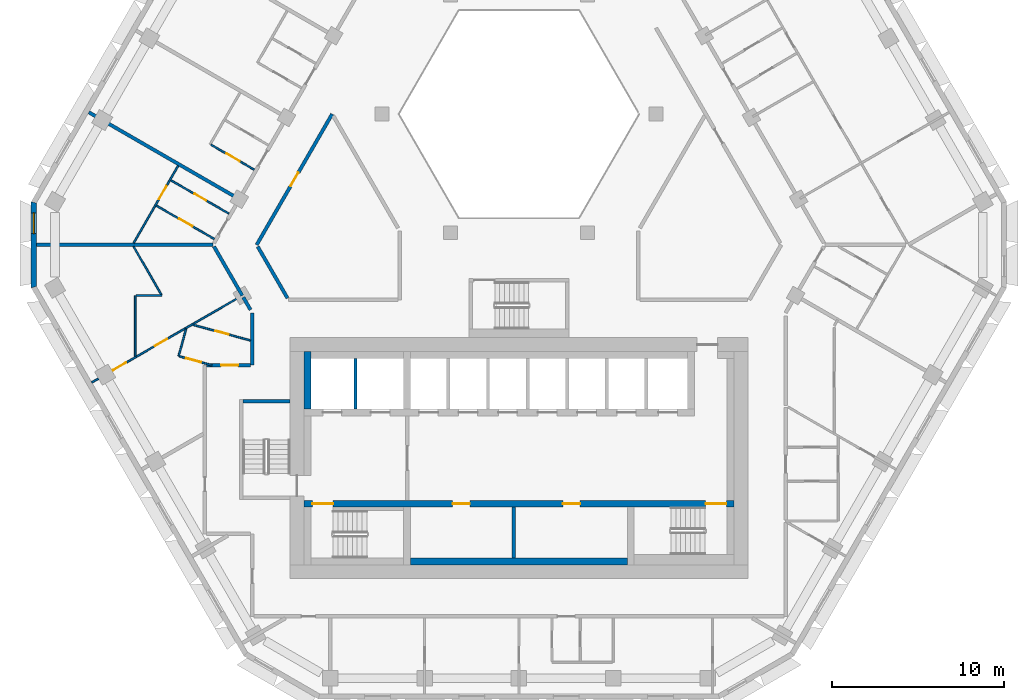
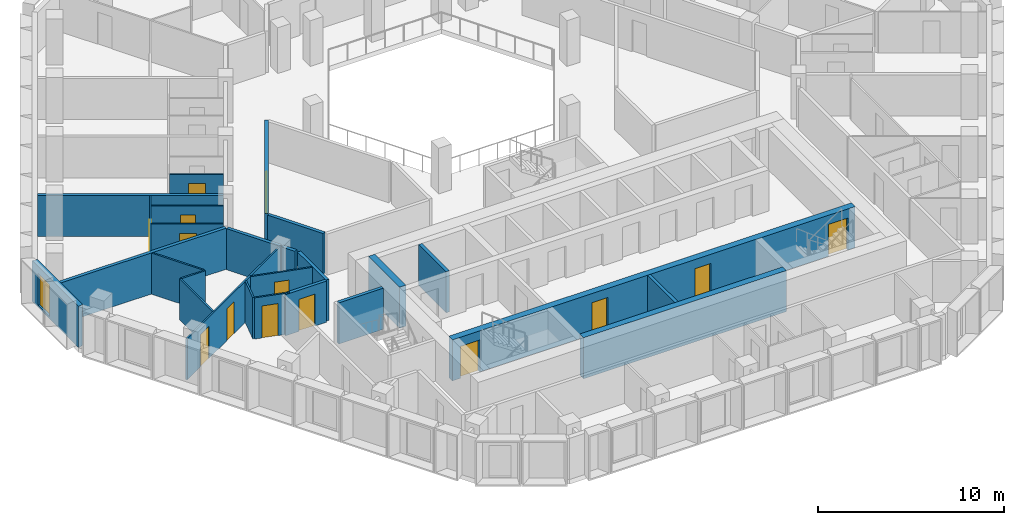
# One storey, part 4 of 15: 26 walls, 14 doors, 1 window, 15 openings.
"""IFC4 building model written with IfcOpenShell, lengths in metres."""

import ifcopenshell
import ifcopenshell.guid

model = None  # the IFC model being written
_history = None  # IfcOwnerHistory: only IFC2X3 demands one
_inside = {}  # id of a spatial element -> (the spatial element, [elements in it])
_under = {}  # id of a project, library or spatial element -> (it, [spatial elements below it])
_declared = {}  # id of a project -> (the project, [libraries it declares])
_typed = {}  # id of a type object -> (the type object, [elements of that type])
_made_of = {}  # id of a material, layer set ... -> (it, [elements and type objects made of it])


def new_model(schema):
    """Start an empty IFC model of exactly this schema.

    Asked for "IFC4X3", IfcOpenShell would pick the latest addendum, in which some entities
    have other attributes; the version numbers below select the first issue.
    IFC2X3 requires an IfcOwnerHistory on every rooted entity: one is made here for all.
    """
    global model, _history
    if schema == "IFC4X3":
        model = ifcopenshell.file(schema_version=(4, 3, 0, 0))
    else:
        model = ifcopenshell.file(schema=schema)
    _inside.clear()
    _under.clear()
    _declared.clear()
    _typed.clear()
    _made_of.clear()
    _history = None
    if model.schema == "IFC2X3":
        org = make("IfcOrganization", Name="unknown")
        user = make(
            "IfcPersonAndOrganization",
            ThePerson=make("IfcPerson", FamilyName="unknown"),
            TheOrganization=org,
        )
        app = make(
            "IfcApplication",
            ApplicationDeveloper=org,
            Version="unknown",
            ApplicationFullName="unknown",
            ApplicationIdentifier="unknown",
        )
        _history = make(
            "IfcOwnerHistory",
            OwningUser=user,
            OwningApplication=app,
            ChangeAction="ADDED",
            CreationDate=0,
        )
    return model


def make(cls, **values):
    """One entity of the class cls with the attributes given. An attribute that is None is left unset."""
    return model.create_entity(
        cls, **{name: value for name, value in values.items() if value is not None}
    )


def rooted(cls, **values):
    """An entity with a GlobalId (a new one), such as an element, a storey or a relation."""
    return make(cls, GlobalId=ifcopenshell.guid.new(), OwnerHistory=_history, **values)


def si_unit(unit_type, name, prefix=None):
    """IfcSIUnit, for example si_unit("LENGTHUNIT", "METRE", prefix="MILLI")."""
    return make("IfcSIUnit", UnitType=unit_type, Prefix=prefix, Name=name)


def assignment(units):
    """IfcUnitAssignment: the units of a project."""
    return None if units is None else make("IfcUnitAssignment", Units=units)


def point(xyz):
    """IfcCartesianPoint."""
    return None if xyz is None else make("IfcCartesianPoint", Coordinates=xyz)


def direction(xyz):
    """IfcDirection."""
    return None if xyz is None else make("IfcDirection", DirectionRatios=xyz)


def frame(location, z_axis=None, x_axis=None):
    """IfcAxis2Placement3D, a coordinate frame: its origin and axes. An axis left out is left unset."""
    return make(
        "IfcAxis2Placement3D",
        Location=point(location),
        Axis=direction(z_axis),
        RefDirection=direction(x_axis),
    )


def frame_2d(location, x_axis=None):
    """IfcAxis2Placement2D, a coordinate frame in the plane: its origin and x axis."""
    return make(
        "IfcAxis2Placement2D", Location=point(location), RefDirection=direction(x_axis)
    )


def origin():
    """The frame at (0, 0, 0) with its axes left unset."""
    return frame((0.0, 0.0, 0.0))


def place(relative_to, where):
    """IfcLocalPlacement: puts the frame where relative to a parent placement (None: the world)."""
    return make(
        "IfcLocalPlacement", PlacementRelTo=relative_to, RelativePlacement=where
    )


def context(
    kind, dimensions, precision=None, world=None, true_north=None, identifier=None
):
    """IfcGeometricRepresentationContext, for example the 3D "Model" context."""
    return make(
        "IfcGeometricRepresentationContext",
        ContextIdentifier=identifier,
        ContextType=kind,
        CoordinateSpaceDimension=dimensions,
        Precision=precision,
        WorldCoordinateSystem=world,
        TrueNorth=true_north,
    )


def subcontext(parent, identifier, kind, view, scale=None):
    """IfcGeometricRepresentationSubContext, for example "Body" below "Model"."""
    return make(
        "IfcGeometricRepresentationSubContext",
        ContextIdentifier=identifier,
        ContextType=kind,
        ParentContext=parent,
        TargetScale=scale,
        TargetView=view,
    )


def project(units=None, contexts=None):
    """IfcProject with its units and contexts."""
    return rooted(
        "IfcProject",
        Name="project",
        RepresentationContexts=contexts,
        UnitsInContext=assignment(units),
    )


def spatial(cls, under=None, at=None, **own):
    """A site, building, storey or space (cls), placed at a placement, below another one or the project."""
    s = rooted(cls, ObjectPlacement=at, **own)
    if under is not None:
        _under.setdefault(under.id(), (under, []))[1].append(s)
    return s


def polyline(points):
    """IfcPolyline through the points."""
    return make("IfcPolyline", Points=[point(p) for p in points])


def profile(cls, at=None, kind="AREA", **sizes):
    """A parametric profile (cls). Its sizes go by their IFC names, for example OverallWidth=200.0."""
    return make(cls, ProfileType=kind, Position=at, **sizes)


def rectangle(**sizes):
    """IfcRectangleProfileDef."""
    return profile("IfcRectangleProfileDef", **sizes)


def outline(outer, holes=None, kind="AREA"):
    """IfcArbitraryClosedProfileDef: a profile drawn as a closed curve; with holes, ...WithVoids."""
    if holes is None:
        return make("IfcArbitraryClosedProfileDef", ProfileType=kind, OuterCurve=outer)
    return make(
        "IfcArbitraryProfileDefWithVoids",
        ProfileType=kind,
        OuterCurve=outer,
        InnerCurves=holes,
    )


def extrude(swept, where, along, depth):
    """IfcExtrudedAreaSolid: the profile swept, set in the frame where, extruded along a direction by depth."""
    return make(
        "IfcExtrudedAreaSolid",
        SweptArea=swept,
        Position=where,
        ExtrudedDirection=direction(along),
        Depth=depth,
    )


def shape(context_of_items, identifier, shape_type, items):
    """IfcShapeRepresentation: the items that make up one representation, for example the "Body"."""
    return make(
        "IfcShapeRepresentation",
        ContextOfItems=context_of_items,
        RepresentationIdentifier=identifier,
        RepresentationType=shape_type,
        Items=items,
    )


def material(Name=None, Category=None):
    """IfcMaterial."""
    return make("IfcMaterial", Name=Name, Category=Category)


def layer(
    of_material, thickness, ventilated=None, Name=None, Category=None, Priority=None
):
    """IfcMaterialLayer: one layer of a wall or slab, of a material (None: an air gap)."""
    return make(
        "IfcMaterialLayer",
        Material=of_material,
        LayerThickness=thickness,
        IsVentilated=ventilated,
        Name=Name,
        Category=Category,
        Priority=Priority,
    )


def layer_set(layers, Name=None):
    """IfcMaterialLayerSet."""
    return make("IfcMaterialLayerSet", MaterialLayers=layers, LayerSetName=Name)


def made_of(thing, what):
    """Note that an element or type object is made of a material, layer set ...; save() writes the relation."""
    if what is not None:
        _made_of.setdefault(what.id(), (what, []))[1].append(thing)
    return thing


def type_object(cls, material=None, **own):
    """A type object (cls), such as IfcWallType, which elements share."""
    return made_of(rooted(cls, **own), material)


def element(
    cls,
    number,
    at=None,
    inside=None,
    cuts=None,
    type_object=None,
    material=None,
    context=None,
    identifier="Body",
    shape_type=None,
    held_by="IfcProductDefinitionShape",
    body=None,
    shapes=None,
    **own,
):
    """One element of the class cls, such as IfcWall. Its Tag is "e" and its number.

    at: its placement. inside: the storey or other place that contains it. cuts: it is an
    opening in that element (IfcRelVoidsElement). A single representation is given by context,
    identifier, shape_type and body (its items); several are given by shapes. held_by: the class
    of the entity that holds the representations. save() writes the other relations.
    """
    e = rooted(cls, Tag="e%d" % number, ObjectPlacement=at, **own)
    if body is not None:
        shapes = [shape(context, identifier, shape_type, body)]
    if shapes is not None:
        e.Representation = make(held_by, Representations=shapes)
    if inside is not None:
        _inside.setdefault(inside.id(), (inside, []))[1].append(e)
    if cuts is not None:
        rooted(
            "IfcRelVoidsElement", RelatingBuildingElement=cuts, RelatedOpeningElement=e
        )
    if type_object is not None:
        _typed.setdefault(type_object.id(), (type_object, []))[1].append(e)
    return made_of(e, material)


def fill(opening, filler):
    """IfcRelFillsElement: the door or window that sits in an opening."""
    return rooted(
        "IfcRelFillsElement",
        RelatingOpeningElement=opening,
        RelatedBuildingElement=filler,
    )


def aggregate(whole, parts):
    """IfcRelAggregates: a whole, such as a stair, and the parts it consists of."""
    return rooted("IfcRelAggregates", RelatingObject=whole, RelatedObjects=parts)


def save(model, path):
    """Write the relations noted so far, then the file.

    IfcRelAggregates (storeys below a building ...), IfcRelContainedInSpatialStructure (elements
    in a storey), IfcRelDefinesByType, IfcRelAssociatesMaterial and IfcRelDeclares: one each for
    every whole, place, type object, material and project.
    """
    for whole, parts in _under.values():
        aggregate(whole, parts)
    for where, things in _inside.values():
        rooted(
            "IfcRelContainedInSpatialStructure",
            RelatedElements=things,
            RelatingStructure=where,
        )
    for kind, things in _typed.values():
        rooted("IfcRelDefinesByType", RelatedObjects=things, RelatingType=kind)
    for what, things in _made_of.values():
        rooted("IfcRelAssociatesMaterial", RelatedObjects=things, RelatingMaterial=what)
    for by, libraries in _declared.values():
        rooted("IfcRelDeclares", RelatingContext=by, RelatedDefinitions=libraries)
    model.write(path)


model = new_model("IFC4")

# Units and contexts
model_context = context("Model", 3, precision=1e-05, world=origin(), true_north=direction((0.0, 1.0)))
body_context = subcontext(model_context, "Body", "Model", "MODEL_VIEW")
ifc_project = project(units=[si_unit("LENGTHUNIT", "METRE"), si_unit("AREAUNIT", "SQUARE_METRE"), si_unit("VOLUMEUNIT", "CUBIC_METRE"), si_unit("PLANEANGLEUNIT", "RADIAN"), si_unit("MASSUNIT", "GRAM", prefix="KILO")], contexts=[model_context])

# Site, building, storey
site_placement = place(None, origin())
site = spatial("IfcSite", under=ifc_project, at=site_placement, CompositionType="ELEMENT")
building_placement = place(site_placement, origin())
building = spatial("IfcBuilding", under=site, at=building_placement, Name="Beryl Residences", CompositionType="ELEMENT")
storey_placement = place(building_placement, frame((0.0, 0.0, 147.60009765625)))
storey = spatial("IfcBuildingStorey", under=building, at=storey_placement, Name="L45", CompositionType="ELEMENT", Elevation=147.60009765625)

# Wall, opening, window
ifc_material_1 = material(Name="Composite metal panel with mineral wool insulation")
ifc_layer_1 = layer(ifc_material_1, 0.300048828125)
ifc_layer_set_1 = layer_set([ifc_layer_1], Name="ES1 pale metal composite panel wall 300 mm")
wall_type_1 = type_object("IfcWallType", Name="ES1 pale metal composite panel wall 300 mm", PredefinedType="SOLIDWALL", material=ifc_layer_set_1)
wall_1_placement = place(storey_placement, frame((-28.197998046875, 2.89990234375, 0.0), z_axis=(0.0, 0.0, 1.0), x_axis=(0.0, -1.0, 0.0)))
wall_1 = element("IfcWall", 1, at=wall_1_placement, inside=storey, type_object=wall_type_1, Name="ES1 external wall L45 NW-SW", PredefinedType="SOLIDWALL", context=body_context, shape_type="SweptSolid", body=[
    extrude(outline(polyline([(0.0, -0.14990234375), (5.0, -0.14990234375), (4.919677734375, 0.14990234375), (0.080322265625, 0.14990234375), (0.0, -0.14990234375)])), origin(), (0.0, 0.0, 1.0), 2.699951171875),
])
opening_1_placement = place(wall_1_placement, frame((0.64990234375, 0.0, 0.14990234375)))
opening_1 = element("IfcOpeningElement", 2, at=opening_1_placement, cuts=wall_1, Name="Opening W2", PredefinedType="OPENING", context=body_context, shape_type="SweptSolid", body=[
    extrude(rectangle(XDim=1.199951171875, YDim=2.10009765625, at=frame_2d((0.60009765625, 1.050048828125))), frame((0.0, 0.159912109375, 0.0), z_axis=(0.0, -1.0, 0.0), x_axis=(1.0, 0.0, 0.0)), (0.0, 0.0, 1.0), 0.320068359375),
])
ifc_material_2 = material(Name="Aluminium and clear glass", Category="aluminium")
window_type = type_object("IfcWindowType", Name="W2 chamfer window 1200 x 2100 mm", PartitioningType="SINGLE_PANEL", PredefinedType="WINDOW", material=ifc_material_2)
window_placement = place(opening_1_placement, origin())
window = element("IfcWindow", 3, at=window_placement, inside=storey, type_object=window_type, Name="W2 window L45 NW-SW 1", OverallHeight=2.10009765625, OverallWidth=1.199951171875, PartitioningType="SINGLE_PANEL", PredefinedType="WINDOW", context=body_context, shape_type="SweptSolid", body=[
    extrude(rectangle(XDim=1.199951171875, YDim=2.10009765625, at=frame_2d((0.60009765625, 1.050048828125))), frame((0.0, 0.030029296875, 0.0), z_axis=(0.0, -1.0, 0.0), x_axis=(1.0, 0.0, 0.0)), (0.0, 0.0, 1.0), 0.06005859375),
])
fill(opening_1, window)

# Wall
ifc_material_3 = material(Name="Gypsum board partition on steel studs", Category="steel")
ifc_layer_2 = layer(ifc_material_3, 0.10009765625)
ifc_layer_set_2 = layer_set([ifc_layer_2], Name="PT1 partition 100 mm gypsum board on steel studs")
wall_type_2 = type_object("IfcWallType", Name="PT1 partition 100 mm gypsum board on steel studs", PredefinedType="PARTITIONING", material=ifc_layer_set_2)
wall_2_placement = place(storey_placement, frame((-22.39794921875, 0.299072265625, 0.0), z_axis=(0.0, 0.0, 1.0), x_axis=(0.50004249738, -0.86600086652, 0.0)))
element("IfcWall", 4, at=wall_2_placement, inside=storey, type_object=wall_type_2, Name="Wall PT1 L45 002", PredefinedType="PARTITIONING", context=body_context, shape_type="SweptSolid", body=[
    extrude(rectangle(XDim=3.235595703125, YDim=0.10009765625, at=frame_2d((1.61767578125, 0.0))), origin(), (0.0, 0.0, 1.0), 2.699951171875),
])

# Wall, opening, door
wall_3_placement = place(storey_placement, frame((-18.930908203125, -4.2529296875, 0.0), z_axis=(0.0, 0.0, 1.0), x_axis=(0.96479645258, -0.262997728296, 0.0)))
wall_3 = element("IfcWall", 5, at=wall_3_placement, inside=storey, type_object=wall_type_2, Name="Wall PT1 L45 007", PredefinedType="PARTITIONING", context=body_context, shape_type="SweptSolid", body=[
    extrude(rectangle(XDim=3.452392578125, YDim=0.10009765625, at=frame_2d((1.72607421875, 0.0))), origin(), (0.0, 0.0, 1.0), 2.699951171875),
])
opening_2_placement = place(wall_3_placement, frame((1.343017578125, 0.0, 0.0)))
opening_2 = element("IfcOpeningElement", 6, at=opening_2_placement, cuts=wall_3, Name="Opening D1349", PredefinedType="OPENING", context=body_context, shape_type="SweptSolid", body=[
    extrude(rectangle(XDim=0.800048828125, YDim=2.10009765625, at=frame_2d((0.39990234375, 1.050048828125))), frame((0.0, 0.06005859375, 0.0), z_axis=(0.0, -1.0, 0.0), x_axis=(1.0, 0.0, 0.0)), (0.0, 0.0, 1.0), 0.1201171875),
])
ifc_material_4 = material(Name="Timber door leaf", Category="wood")
door_type_1 = type_object("IfcDoorType", Name="D3 bathroom door 800 x 2100 mm", OperationType="SINGLE_SWING_LEFT", PredefinedType="DOOR", material=ifc_material_4)
door_1_placement = place(opening_2_placement, origin())
door_1 = element("IfcDoor", 7, at=door_1_placement, inside=storey, type_object=door_type_1, Name="Door D1349 L45 001", OperationType="SINGLE_SWING_LEFT", OverallHeight=2.10009765625, OverallWidth=0.800048828125, PredefinedType="DOOR", context=body_context, shape_type="SweptSolid", body=[
    extrude(rectangle(XDim=0.800048828125, YDim=2.10009765625, at=frame_2d((0.39990234375, 1.050048828125))), frame((0.0, 0.02490234375, 0.0), z_axis=(0.0, -1.0, 0.0), x_axis=(1.0, 0.0, 0.0)), (0.0, 0.0, 1.0), 0.050048828125),
])
fill(opening_2, door_1)

wall_4_placement = place(storey_placement, frame((-19.72998046875, -6.0869140625, 0.0), z_axis=(0.0, 0.0, 1.0), x_axis=(0.964700186442, -0.263350622325, 0.0)))
wall_4 = element("IfcWall", 8, at=wall_4_placement, inside=storey, type_object=wall_type_2, Name="Wall PT1 L45 008", PredefinedType="PARTITIONING", context=body_context, shape_type="SweptSolid", body=[
    extrude(rectangle(XDim=1.94873046875, YDim=0.10009765625, at=frame_2d((0.974365234375, 0.0))), origin(), (0.0, 0.0, 1.0), 2.699951171875),
])
opening_3_placement = place(wall_4_placement, frame((0.39892578125, 0.0, 0.0)))
opening_3 = element("IfcOpeningElement", 9, at=opening_3_placement, cuts=wall_4, Name="Opening D1350", PredefinedType="OPENING", context=body_context, shape_type="SweptSolid", body=[
    extrude(rectangle(XDim=0.89990234375, YDim=2.10009765625, at=frame_2d((0.449951171875, 1.050048828125))), frame((0.0, 0.06005859375, 0.0), z_axis=(0.0, -1.0, 0.0), x_axis=(1.0, 0.0, 0.0)), (0.0, 0.0, 1.0), 0.1201171875),
])
ifc_material_5 = material(Name="Timber door leaf", Category="wood")
door_type_2 = type_object("IfcDoorType", Name="D2 room door 900 x 2100 mm", OperationType="SINGLE_SWING_LEFT", PredefinedType="DOOR", material=ifc_material_5)
door_2_placement = place(opening_3_placement, origin())
door_2 = element("IfcDoor", 10, at=door_2_placement, inside=storey, type_object=door_type_2, Name="Door D1350 L45 001", OperationType="SINGLE_SWING_RIGHT", OverallHeight=2.10009765625, OverallWidth=0.89990234375, PredefinedType="DOOR", context=body_context, shape_type="SweptSolid", body=[
    extrude(rectangle(XDim=0.89990234375, YDim=2.10009765625, at=frame_2d((0.449951171875, 1.050048828125))), frame((0.0, 0.02490234375, 0.0), z_axis=(0.0, -1.0, 0.0), x_axis=(1.0, 0.0, 0.0)), (0.0, 0.0, 1.0), 0.050048828125),
])
fill(opening_3, door_2)

wall_5_placement = place(storey_placement, frame((-17.89794921875, 6.217041015625, 0.0), z_axis=(0.0, 0.0, 1.0), x_axis=(0.86592000186, -0.500182517066, 0.0)))
wall_5 = element("IfcWall", 11, at=wall_5_placement, inside=storey, type_object=wall_type_2, Name="Wall PT1 L45 009", PredefinedType="PARTITIONING", context=body_context, shape_type="SweptSolid", body=[
    extrude(rectangle(XDim=2.9091796875, YDim=0.10009765625, at=frame_2d((1.45458984375, 0.0))), origin(), (0.0, 0.0, 1.0), 2.699951171875),
])
opening_4_placement = place(wall_5_placement, frame((1.029052734375, 0.0, 0.0)))
opening_4 = element("IfcOpeningElement", 12, at=opening_4_placement, cuts=wall_5, Name="Opening D1342", PredefinedType="OPENING", context=body_context, shape_type="SweptSolid", body=[
    extrude(rectangle(XDim=0.89990234375, YDim=2.10009765625, at=frame_2d((0.449951171875, 1.050048828125))), frame((0.0, 0.06005859375, 0.0), z_axis=(0.0, -1.0, 0.0), x_axis=(1.0, 0.0, 0.0)), (0.0, 0.0, 1.0), 0.1201171875),
])
door_3_placement = place(opening_4_placement, origin())
door_3 = element("IfcDoor", 13, at=door_3_placement, inside=storey, type_object=door_type_2, Name="Door D1342 L45 001", OperationType="SINGLE_SWING_RIGHT", OverallHeight=2.10009765625, OverallWidth=0.89990234375, PredefinedType="DOOR", context=body_context, shape_type="SweptSolid", body=[
    extrude(rectangle(XDim=0.89990234375, YDim=2.10009765625, at=frame_2d((0.449951171875, 1.050048828125))), frame((0.0, 0.02490234375, 0.0), z_axis=(0.0, -1.0, 0.0), x_axis=(1.0, 0.0, 0.0)), (0.0, 0.0, 1.0), 0.050048828125),
])
fill(opening_4, door_3)

wall_6_placement = place(storey_placement, frame((-20.23291015625, 4.14892578125, 0.0), z_axis=(0.0, 0.0, 1.0), x_axis=(0.867293167797, -0.497797711016, 0.0)))
wall_6 = element("IfcWall", 14, at=wall_6_placement, inside=storey, type_object=wall_type_2, Name="Wall PT1 L45 011", PredefinedType="PARTITIONING", context=body_context, shape_type="SweptSolid", body=[
    extrude(rectangle(XDim=3.89697265625, YDim=0.10009765625, at=frame_2d((1.948486328125, 0.0))), origin(), (0.0, 0.0, 1.0), 2.699951171875),
])
opening_5_placement = place(wall_6_placement, frame((1.573974609375, 0.0, 0.0)))
opening_5 = element("IfcOpeningElement", 15, at=opening_5_placement, cuts=wall_6, Name="Opening D1345", PredefinedType="OPENING", context=body_context, shape_type="SweptSolid", body=[
    extrude(rectangle(XDim=0.800048828125, YDim=2.10009765625, at=frame_2d((0.39990234375, 1.050048828125))), frame((0.0, 0.06005859375, 0.0), z_axis=(0.0, -1.0, 0.0), x_axis=(1.0, 0.0, 0.0)), (0.0, 0.0, 1.0), 0.1201171875),
])
door_4_placement = place(opening_5_placement, origin())
door_4 = element("IfcDoor", 16, at=door_4_placement, inside=storey, type_object=door_type_1, Name="Door D1345 L45 001", OperationType="SINGLE_SWING_LEFT", OverallHeight=2.10009765625, OverallWidth=0.800048828125, PredefinedType="DOOR", context=body_context, shape_type="SweptSolid", body=[
    extrude(rectangle(XDim=0.800048828125, YDim=2.10009765625, at=frame_2d((0.39990234375, 1.050048828125))), frame((0.0, 0.02490234375, 0.0), z_axis=(0.0, -1.0, 0.0), x_axis=(1.0, 0.0, 0.0)), (0.0, 0.0, 1.0), 0.050048828125),
])
fill(opening_5, door_4)

wall_7_placement = place(storey_placement, frame((-21.0830078125, 2.677001953125, 0.0), z_axis=(0.0, 0.0, 1.0), x_axis=(0.867308690764, -0.497770664991, 0.0)))
wall_7 = element("IfcWall", 17, at=wall_7_placement, inside=storey, type_object=wall_type_2, Name="Wall PT1 L45 012", PredefinedType="PARTITIONING", context=body_context, shape_type="SweptSolid", body=[
    extrude(rectangle(XDim=3.897216796875, YDim=0.10009765625, at=frame_2d((1.94873046875, 0.0))), origin(), (0.0, 0.0, 1.0), 2.699951171875),
])
opening_6_placement = place(wall_7_placement, frame((1.52392578125, 0.0, 0.0)))
opening_6 = element("IfcOpeningElement", 18, at=opening_6_placement, cuts=wall_7, Name="Opening D1346", PredefinedType="OPENING", context=body_context, shape_type="SweptSolid", body=[
    extrude(rectangle(XDim=0.89990234375, YDim=2.10009765625, at=frame_2d((0.449951171875, 1.050048828125))), frame((0.0, 0.06005859375, 0.0), z_axis=(0.0, -1.0, 0.0), x_axis=(1.0, 0.0, 0.0)), (0.0, 0.0, 1.0), 0.1201171875),
])
door_5_placement = place(opening_6_placement, origin())
door_5 = element("IfcDoor", 19, at=door_5_placement, inside=storey, type_object=door_type_2, Name="Door D1346 L45 001", OperationType="SINGLE_SWING_RIGHT", OverallHeight=2.10009765625, OverallWidth=0.89990234375, PredefinedType="DOOR", context=body_context, shape_type="SweptSolid", body=[
    extrude(rectangle(XDim=0.89990234375, YDim=2.10009765625, at=frame_2d((0.449951171875, 1.050048828125))), frame((0.0, 0.02490234375, 0.0), z_axis=(0.0, -1.0, 0.0), x_axis=(1.0, 0.0, 0.0)), (0.0, 0.0, 1.0), 0.050048828125),
])
fill(opening_6, door_5)

# Wall
wall_8_placement = place(storey_placement, frame((-22.24609375, -2.552978515625, 0.0), z_axis=(0.0, 0.0, 1.0), x_axis=(1.0, 0.0, 0.0)))
element("IfcWall", 20, at=wall_8_placement, inside=storey, type_object=wall_type_2, Name="Wall PT1 L45 024", PredefinedType="PARTITIONING", context=body_context, shape_type="SweptSolid", body=[
    extrude(rectangle(XDim=1.4951171875, YDim=0.10009765625, at=frame_2d((0.74755859375, 0.0))), origin(), (0.0, 0.0, 1.0), 2.699951171875),
])

# Wall, opening, door
wall_9_placement = place(storey_placement, frame((-22.39794921875, 0.4990234375, 0.0), z_axis=(0.0, 0.0, 1.0), x_axis=(0.499984806807, 0.866034175401, 0.0)))
wall_9 = element("IfcWall", 21, at=wall_9_placement, inside=storey, type_object=wall_type_2, Name="Wall PT1 L45 033", PredefinedType="PARTITIONING", context=body_context, shape_type="SweptSolid", body=[
    extrude(rectangle(XDim=5.182373046875, YDim=0.10009765625, at=frame_2d((2.59130859375, 0.0))), origin(), (0.0, 0.0, 1.0), 2.699951171875),
])
opening_7_placement = place(wall_9_placement, frame((2.943115234375, 0.0, 0.0)))
opening_7 = element("IfcOpeningElement", 22, at=opening_7_placement, cuts=wall_9, Name="Opening D1347", PredefinedType="OPENING", context=body_context, shape_type="SweptSolid", body=[
    extrude(rectangle(XDim=0.89990234375, YDim=2.10009765625, at=frame_2d((0.449951171875, 1.050048828125))), frame((0.0, 0.06005859375, 0.0), z_axis=(0.0, -1.0, 0.0), x_axis=(1.0, 0.0, 0.0)), (0.0, 0.0, 1.0), 0.1201171875),
])
door_6_placement = place(opening_7_placement, origin())
door_6 = element("IfcDoor", 23, at=door_6_placement, inside=storey, type_object=door_type_2, Name="Door D1347 L45 001", OperationType="SINGLE_SWING_LEFT", OverallHeight=2.10009765625, OverallWidth=0.89990234375, PredefinedType="DOOR", context=body_context, shape_type="SweptSolid", body=[
    extrude(rectangle(XDim=0.89990234375, YDim=2.10009765625, at=frame_2d((0.449951171875, 1.050048828125))), frame((0.0, 0.02490234375, 0.0), z_axis=(0.0, -1.0, 0.0), x_axis=(1.0, 0.0, 0.0)), (0.0, 0.0, 1.0), 0.050048828125),
])
fill(opening_7, door_6)

# Walls
wall_10_placement = place(storey_placement, frame((-19.779052734375, -6.072998046875, 0.0), z_axis=(0.0, 0.0, 1.0), x_axis=(0.262700832967, 0.964877335395, 0.0)))
element("IfcWall", 24, at=wall_10_placement, inside=storey, type_object=wall_type_2, Name="Wall PT1 L45 035", PredefinedType="PARTITIONING", context=body_context, shape_type="SweptSolid", body=[
    extrude(rectangle(XDim=1.636474609375, YDim=0.10009765625, at=frame_2d((0.818359375, 0.0))), origin(), (0.0, 0.0, 1.0), 2.699951171875),
])
wall_11_placement = place(storey_placement, frame((-22.297119140625, -6.0810546875, 0.0), z_axis=(0.0, 0.0, 1.0), x_axis=(0.0, 1.0, 0.0)))
element("IfcWall", 25, at=wall_11_placement, inside=storey, type_object=wall_type_2, Name="Wall PT1 L45 046", PredefinedType="PARTITIONING", context=body_context, shape_type="SweptSolid", body=[
    extrude(rectangle(XDim=3.527099609375, YDim=0.10009765625, at=frame_2d((1.763671875, 0.0))), origin(), (0.0, 0.0, 1.0), 2.699951171875),
])

# Wall, openings, doors
wall_12_placement = place(storey_placement, frame((-24.825927734375, -7.59912109375, 0.0), z_axis=(0.0, 0.0, 1.0), x_axis=(0.866020686789, 0.500008169986, 0.0)))
wall_12 = element("IfcWall", 26, at=wall_12_placement, inside=storey, type_object=wall_type_2, Name="Wall PT1 L45 050", PredefinedType="PARTITIONING", context=body_context, shape_type="SweptSolid", body=[
    extrude(rectangle(XDim=10.010009765625, YDim=0.10009765625, at=frame_2d((5.0048828125, 0.0))), origin(), (0.0, 0.0, 1.0), 2.699951171875),
])
opening_8_placement = place(wall_12_placement, frame((4.243896484375, 0.0, 0.0)))
opening_8 = element("IfcOpeningElement", 27, at=opening_8_placement, cuts=wall_12, Name="Opening D1351", PredefinedType="OPENING", context=body_context, shape_type="SweptSolid", body=[
    extrude(rectangle(XDim=0.800048828125, YDim=2.10009765625, at=frame_2d((0.39990234375, 1.050048828125))), frame((0.0, 0.06005859375, 0.0), z_axis=(0.0, -1.0, 0.0), x_axis=(1.0, 0.0, 0.0)), (0.0, 0.0, 1.0), 0.1201171875),
])
opening_9_placement = place(wall_12_placement, frame((1.409912109375, 0.0, 0.0)))
opening_9 = element("IfcOpeningElement", 28, at=opening_9_placement, cuts=wall_12, Name="Opening D1352", PredefinedType="OPENING", context=body_context, shape_type="SweptSolid", body=[
    extrude(rectangle(XDim=0.89990234375, YDim=2.10009765625, at=frame_2d((0.449951171875, 1.050048828125))), frame((0.0, 0.06005859375, 0.0), z_axis=(0.0, -1.0, 0.0), x_axis=(1.0, 0.0, 0.0)), (0.0, 0.0, 1.0), 0.1201171875),
])
door_7_placement = place(opening_9_placement, origin())
door_7 = element("IfcDoor", 29, at=door_7_placement, inside=storey, type_object=door_type_2, Name="Door D1352 L45 001", OperationType="SINGLE_SWING_RIGHT", OverallHeight=2.10009765625, OverallWidth=0.89990234375, PredefinedType="DOOR", context=body_context, shape_type="SweptSolid", body=[
    extrude(rectangle(XDim=0.89990234375, YDim=2.10009765625, at=frame_2d((0.449951171875, 1.050048828125))), frame((0.0, 0.02490234375, 0.0), z_axis=(0.0, -1.0, 0.0), x_axis=(1.0, 0.0, 0.0)), (0.0, 0.0, 1.0), 0.050048828125),
])
fill(opening_9, door_7)
door_8_placement = place(opening_8_placement, origin())
door_8 = element("IfcDoor", 30, at=door_8_placement, inside=storey, type_object=door_type_1, Name="Door D1351 L45 001", OperationType="SINGLE_SWING_LEFT", OverallHeight=2.10009765625, OverallWidth=0.800048828125, PredefinedType="DOOR", context=body_context, shape_type="SweptSolid", body=[
    extrude(rectangle(XDim=0.800048828125, YDim=2.10009765625, at=frame_2d((0.39990234375, 1.050048828125))), frame((0.0, 0.02490234375, 0.0), z_axis=(0.0, -1.0, 0.0), x_axis=(1.0, 0.0, 0.0)), (0.0, 0.0, 1.0), 0.050048828125),
])
fill(opening_8, door_8)

# Walls
ifc_material_6 = material(Name="Acoustic double stud gypsum board wall")
ifc_layer_3 = layer(ifc_material_6, 0.199951171875)
ifc_layer_set_3 = layer_set([ifc_layer_3], Name="PT3 party wall 200 mm acoustic double stud")
wall_type_3 = type_object("IfcWallType", Name="PT3 party wall 200 mm acoustic double stud", PredefinedType="PARTITIONING", material=ifc_layer_set_3)
wall_13_placement = place(storey_placement, frame((-24.9990234375, 8.10009765625, 0.0), z_axis=(0.0, 0.0, 1.0), x_axis=(0.866016855193, -0.500014806302, 0.0)))
element("IfcWall", 31, at=wall_13_placement, inside=storey, type_object=wall_type_3, Name="Wall PT3 L45 001", PredefinedType="PARTITIONING", context=body_context, shape_type="SweptSolid", body=[
    extrude(rectangle(XDim=9.999755859375, YDim=0.199951171875, at=frame_2d((5.0, 0.0))), origin(), (0.0, 0.0, 1.0), 2.699951171875),
])
wall_14_placement = place(storey_placement, frame((-28.048095703125, 0.39892578125, 0.0), z_axis=(0.0, 0.0, 1.0), x_axis=(1.0, 0.0, 0.0)))
element("IfcWall", 32, at=wall_14_placement, inside=storey, type_object=wall_type_3, Name="Wall PT3 L45 006", PredefinedType="PARTITIONING", context=body_context, shape_type="SweptSolid", body=[
    extrude(rectangle(XDim=10.26611328125, YDim=0.199951171875, at=frame_2d((5.133056640625, 0.0))), origin(), (0.0, 0.0, 1.0), 2.699951171875),
])
ifc_material_7 = material(Name="Double stud gypsum board wall")
ifc_layer_4 = layer(ifc_material_7, 0.199951171875)
ifc_layer_set_4 = layer_set([ifc_layer_4], Name="PT4 corridor wall 200 mm double stud")
wall_type_4 = type_object("IfcWallType", Name="PT4 corridor wall 200 mm double stud", PredefinedType="PARTITIONING", material=ifc_layer_set_4)
wall_15_placement = place(storey_placement, frame((-15.18408203125, 0.299072265625, 0.0), z_axis=(0.0, 0.0, 1.0), x_axis=(0.500149577091, -0.865939028186, 0.0)))
element("IfcWall", 33, at=wall_15_placement, inside=storey, type_object=wall_type_4, Name="Wall PT4 L45 002", PredefinedType="PARTITIONING", context=body_context, shape_type="SweptSolid", body=[
    extrude(rectangle(XDim=3.46337890625, YDim=0.199951171875, at=frame_2d((1.731689453125, 0.0))), origin(), (0.0, 0.0, 1.0), 2.699951171875),
])
wall_16_placement = place(storey_placement, frame((-17.72412109375, 0.299072265625, 0.0), z_axis=(0.0, 0.0, 1.0), x_axis=(0.499923815713, -0.866069384335, 0.0)))
element("IfcWall", 34, at=wall_16_placement, inside=storey, type_object=wall_type_4, Name="Wall PT4 L45 003", PredefinedType="PARTITIONING", context=body_context, shape_type="SweptSolid", body=[
    extrude(rectangle(XDim=3.28857421875, YDim=0.199951171875, at=frame_2d((1.644287109375, 0.0))), origin(), (0.0, 0.0, 1.0), 2.699951171875),
])
wall_17_placement = place(storey_placement, frame((-16.02001953125, -2.652099609375, 0.0), z_axis=(0.0, 0.0, 1.0), x_axis=(0.499764376199, -0.866161398518, 0.0)))
element("IfcWall", 35, at=wall_17_placement, inside=storey, type_object=wall_type_4, Name="Wall PT4 L45 004", PredefinedType="PARTITIONING", context=body_context, shape_type="SweptSolid", body=[
    extrude(rectangle(XDim=0.84033203125, YDim=0.199951171875, at=frame_2d((0.420166015625, 0.0))), origin(), (0.0, 0.0, 1.0), 2.699951171875),
])

# Wall, opening, door
wall_18_placement = place(storey_placement, frame((-18.14892578125, -6.60009765625, 0.0), z_axis=(0.0, 0.0, 1.0), x_axis=(1.0, 0.0, 0.0)))
wall_18 = element("IfcWall", 36, at=wall_18_placement, inside=storey, type_object=wall_type_4, Name="Wall PT4 L45 009", PredefinedType="PARTITIONING", context=body_context, shape_type="SweptSolid", body=[
    extrude(rectangle(XDim=2.548828125, YDim=0.199951171875, at=frame_2d((1.2744140625, 0.0))), origin(), (0.0, 0.0, 1.0), 2.699951171875),
])
opening_10_placement = place(wall_18_placement, frame((0.833984375, 0.0, 0.0)))
opening_10 = element("IfcOpeningElement", 37, at=opening_10_placement, cuts=wall_18, Name="Opening D1348", PredefinedType="OPENING", context=body_context, shape_type="SweptSolid", body=[
    extrude(rectangle(XDim=1.0, YDim=2.10009765625, at=frame_2d((0.5, 1.050048828125))), frame((0.0, 0.10986328125, 0.0), z_axis=(0.0, -1.0, 0.0), x_axis=(1.0, 0.0, 0.0)), (0.0, 0.0, 1.0), 0.219970703125),
])
ifc_material_8 = material(Name="Timber door leaf", Category="wood")
door_type_3 = type_object("IfcDoorType", Name="D1 flat entrance door 1000 x 2100 mm", OperationType="SINGLE_SWING_LEFT", PredefinedType="DOOR", material=ifc_material_8)
door_9_placement = place(opening_10_placement, origin())
door_9 = element("IfcDoor", 38, at=door_9_placement, inside=storey, type_object=door_type_3, Name="Door D1348 L45 001", OperationType="SINGLE_SWING_RIGHT", OverallHeight=2.10009765625, OverallWidth=1.0, PredefinedType="DOOR", context=body_context, shape_type="SweptSolid", body=[
    extrude(rectangle(XDim=1.0, YDim=2.10009765625, at=frame_2d((0.5, 1.050048828125))), frame((0.0, 0.02490234375, 0.0), z_axis=(0.0, -1.0, 0.0), x_axis=(1.0, 0.0, 0.0)), (0.0, 0.0, 1.0), 0.050048828125),
])
fill(opening_10, door_9)

wall_19_placement = place(storey_placement, frame((-15.241943359375, 0.39892578125, 0.0), z_axis=(0.0, 0.0, 1.0), x_axis=(0.499953615651, 0.866052182145, 0.0)))
wall_19 = element("IfcWall", 39, at=wall_19_placement, inside=storey, type_object=wall_type_4, Name="Wall PT4 L45 020", PredefinedType="PARTITIONING", context=body_context, shape_type="SweptSolid", body=[
    extrude(rectangle(XDim=8.776611328125, YDim=0.199951171875, at=frame_2d((4.38818359375, 0.0))), origin(), (0.0, 0.0, 1.0), 2.699951171875),
])
opening_11_placement = place(wall_19_placement, frame((3.93798828125, 0.0, 0.0)))
opening_11 = element("IfcOpeningElement", 40, at=opening_11_placement, cuts=wall_19, Name="Opening D1356", PredefinedType="OPENING", context=body_context, shape_type="SweptSolid", body=[
    extrude(rectangle(XDim=0.89990234375, YDim=2.10009765625, at=frame_2d((0.449951171875, 1.050048828125))), frame((0.0, 0.10986328125, 0.0), z_axis=(0.0, -1.0, 0.0), x_axis=(1.0, 0.0, 0.0)), (0.0, 0.0, 1.0), 0.219970703125),
])
door_10_placement = place(opening_11_placement, origin())
door_10 = element("IfcDoor", 41, at=door_10_placement, inside=storey, type_object=door_type_2, Name="Door D1356 L45 001", OperationType="SINGLE_SWING_RIGHT", OverallHeight=2.10009765625, OverallWidth=0.89990234375, PredefinedType="DOOR", context=body_context, shape_type="SweptSolid", body=[
    extrude(rectangle(XDim=0.89990234375, YDim=2.10009765625, at=frame_2d((0.449951171875, 1.050048828125))), frame((0.0, 0.02490234375, 0.0), z_axis=(0.0, -1.0, 0.0), x_axis=(1.0, 0.0, 0.0)), (0.0, 0.0, 1.0), 0.050048828125),
])
fill(opening_11, door_10)

# Walls
wall_20_placement = place(storey_placement, frame((-15.5, -6.60009765625, 0.0), z_axis=(0.0, 0.0, 1.0), x_axis=(0.0, 1.0, 0.0)))
element("IfcWall", 42, at=wall_20_placement, inside=storey, type_object=wall_type_4, Name="Wall PT4 L45 028", PredefinedType="PARTITIONING", context=body_context, shape_type="SweptSolid", body=[
    extrude(rectangle(XDim=3.047119140625, YDim=0.199951171875, at=frame_2d((1.5234375, 0.0))), origin(), (0.0, 0.0, 1.0), 2.699951171875),
])
ifc_material_9 = material(Name="Concrete C40/50", Category="concrete")
ifc_layer_5 = layer(ifc_material_9, 0.199951171875)
ifc_layer_set_5 = layer_set([ifc_layer_5], Name="PT5 stair enclosure wall 200 mm reinforced concrete C40/50")
wall_type_5 = type_object("IfcWallType", Name="PT5 stair enclosure wall 200 mm reinforced concrete C40/50", PredefinedType="SOLIDWALL", material=ifc_layer_set_5)
wall_21_placement = place(storey_placement, frame((-16.050048828125, -8.699951171875, 0.0), z_axis=(0.0, 0.0, 1.0), x_axis=(1.0, 0.0, 0.0)))
element("IfcWall", 43, at=wall_21_placement, inside=storey, type_object=wall_type_5, Name="Stair wall 03", PredefinedType="SOLIDWALL", context=body_context, shape_type="SweptSolid", body=[
    extrude(rectangle(XDim=2.75, YDim=0.199951171875, at=frame_2d((1.375, 0.0))), origin(), (0.0, 0.0, 1.0), 2.699951171875),
])
ifc_material_10 = material(Name="Concrete C40/50", Category="concrete")
ifc_layer_6 = layer(ifc_material_10, 0.199951171875)
ifc_layer_set_6 = layer_set([ifc_layer_6], Name="PT6 lift shaft wall 200 mm reinforced concrete C40/50")
wall_type_6 = type_object("IfcWallType", Name="PT6 lift shaft wall 200 mm reinforced concrete C40/50", PredefinedType="SOLIDWALL", material=ifc_layer_set_6)
wall_22_placement = place(storey_placement, frame((-9.5, -9.14990234375, 0.0), z_axis=(0.0, 0.0, 1.0), x_axis=(0.0, 1.0, 0.0)))
element("IfcWall", 44, at=wall_22_placement, inside=storey, type_object=wall_type_6, Name="Lift shaft wall 10", PredefinedType="SOLIDWALL", context=body_context, shape_type="SweptSolid", body=[
    extrude(rectangle(XDim=2.949951171875, YDim=0.199951171875, at=frame_2d((1.47509765625, 0.0))), origin(), (0.0, 0.0, 1.0), 2.699951171875),
])
ifc_material_11 = material(Name="Concrete C40/50", Category="concrete")
ifc_layer_7 = layer(ifc_material_11, 0.39990234375)
ifc_layer_set_7 = layer_set([ifc_layer_7], Name="PT6-400 lift shaft wall 400 mm")
wall_type_7 = type_object("IfcWallType", Name="PT6-400 lift shaft wall 400 mm", PredefinedType="SOLIDWALL", material=ifc_layer_set_7)
wall_23_placement = place(storey_placement, frame((-12.300048828125, -9.14990234375, 0.0), z_axis=(0.0, 0.0, 1.0), x_axis=(0.0, 1.0, 0.0)))
element("IfcWall", 45, at=wall_23_placement, inside=storey, type_object=wall_type_7, Name="Lift shaft wall 06", PredefinedType="SOLIDWALL", context=body_context, shape_type="SweptSolid", body=[
    extrude(rectangle(XDim=3.349853515625, YDim=0.39990234375, at=frame_2d((1.6748046875, 0.0))), origin(), (0.0, 0.0, 1.0), 2.699951171875),
])
ifc_material_12 = material(Name="Concrete masonry", Category="masonry")
ifc_layer_8 = layer(ifc_material_12, 0.199951171875)
ifc_layer_set_8 = layer_set([ifc_layer_8], Name="PT8-200 service room wall 200 mm")
wall_type_8 = type_object("IfcWallType", Name="PT8-200 service room wall 200 mm", PredefinedType="PARTITIONING", material=ifc_layer_set_8)
wall_24_placement = place(storey_placement, frame((-0.300048828125, -17.800048828125, 0.0), z_axis=(0.0, 0.0, 1.0), x_axis=(0.0, 1.0, 0.0)))
element("IfcWall", 46, at=wall_24_placement, inside=storey, type_object=wall_type_8, Name="Core room wall 16", PredefinedType="PARTITIONING", context=body_context, shape_type="SweptSolid", body=[
    extrude(rectangle(XDim=2.949951171875, YDim=0.199951171875, at=frame_2d((1.47509765625, 0.0))), origin(), (0.0, 0.0, 1.0), 2.699951171875),
])
ifc_material_13 = material(Name="Concrete masonry", Category="masonry")
ifc_layer_9 = layer(ifc_material_13, 0.39990234375)
ifc_layer_set_9 = layer_set([ifc_layer_9], Name="PT8-400 service room wall 400 mm")
wall_type_9 = type_object("IfcWallType", Name="PT8-400 service room wall 400 mm", PredefinedType="PARTITIONING", material=ifc_layer_set_9)
wall_25_placement = place(storey_placement, frame((-6.300048828125, -18.0, 0.0), z_axis=(0.0, 0.0, 1.0), x_axis=(1.0, 0.0, 0.0)))
element("IfcWall", 47, at=wall_25_placement, inside=storey, type_object=wall_type_9, Name="Core room wall 12", PredefinedType="PARTITIONING", context=body_context, shape_type="SweptSolid", body=[
    extrude(rectangle(XDim=12.60009765625, YDim=0.39990234375, at=frame_2d((6.300048828125, 0.0))), origin(), (0.0, 0.0, 1.0), 2.699951171875),
])

# Wall, openings, doors
ifc_material_14 = material(Name="Concrete C60/75", Category="concrete")
ifc_layer_10 = layer(ifc_material_14, 0.39990234375)
ifc_layer_set_10 = layer_set([ifc_layer_10], Name="SW8 core internal wall 400 mm C60/75")
wall_type_10 = type_object("IfcWallType", Name="SW8 core internal wall 400 mm C60/75", PredefinedType="SHEAR", material=ifc_layer_set_10)
wall_26_placement = place(storey_placement, frame((-12.5, -14.64990234375, 0.0), z_axis=(0.0, 0.0, 1.0), x_axis=(1.0, 0.0, 0.0)))
wall_26 = element("IfcWall", 48, at=wall_26_placement, inside=storey, type_object=wall_type_10, Name="Core wall SP1 L45", PredefinedType="SHEAR", context=body_context, shape_type="SweptSolid", body=[
    extrude(rectangle(XDim=25.0, YDim=0.39990234375, at=frame_2d((12.5, 0.0))), origin(), (0.0, 0.0, 1.0), 2.699951171875),
])
opening_12_placement = place(wall_26_placement, frame((1.699951171875, 0.0, 0.0), z_axis=(0.0, 0.0, 1.0), x_axis=(-1.0, 0.0, 0.0)))
opening_12 = element("IfcOpeningElement", 49, at=opening_12_placement, cuts=wall_26, Name="Opening SD-1", PredefinedType="OPENING", context=body_context, shape_type="SweptSolid", body=[
    extrude(rectangle(XDim=1.199951171875, YDim=2.10009765625, at=frame_2d((0.60009765625, 1.050048828125))), frame((0.0, 0.2099609375, 0.0), z_axis=(0.0, -1.0, 0.0), x_axis=(1.0, 0.0, 0.0)), (0.0, 0.0, 1.0), 0.419921875),
])
opening_13_placement = place(wall_26_placement, frame((24.550048828125, 0.0, 0.0), z_axis=(0.0, 0.0, 1.0), x_axis=(-1.0, 0.0, 0.0)))
opening_13 = element("IfcOpeningElement", 50, at=opening_13_placement, cuts=wall_26, Name="Opening SD-3", PredefinedType="OPENING", context=body_context, shape_type="SweptSolid", body=[
    extrude(rectangle(XDim=1.199951171875, YDim=2.10009765625, at=frame_2d((0.60009765625, 1.050048828125))), frame((0.0, 0.2099609375, 0.0), z_axis=(0.0, -1.0, 0.0), x_axis=(1.0, 0.0, 0.0)), (0.0, 0.0, 1.0), 0.419921875),
])
opening_14_placement = place(wall_26_placement, frame((9.64990234375, 0.0, 0.0), z_axis=(0.0, 0.0, 1.0), x_axis=(-1.0, 0.0, 0.0)))
opening_14 = element("IfcOpeningElement", 51, at=opening_14_placement, cuts=wall_26, Name="Opening CD-D-S1", PredefinedType="OPENING", context=body_context, shape_type="SweptSolid", body=[
    extrude(rectangle(XDim=1.0, YDim=2.10009765625, at=frame_2d((0.5, 1.050048828125))), frame((0.0, 0.2099609375, 0.0), z_axis=(0.0, -1.0, 0.0), x_axis=(1.0, 0.0, 0.0)), (0.0, 0.0, 1.0), 0.419921875),
])
opening_15_placement = place(wall_26_placement, frame((16.050048828125, 0.0, 0.0), z_axis=(0.0, 0.0, 1.0), x_axis=(-1.0, 0.0, 0.0)))
opening_15 = element("IfcOpeningElement", 52, at=opening_15_placement, cuts=wall_26, Name="Opening CD-D-S2", PredefinedType="OPENING", context=body_context, shape_type="SweptSolid", body=[
    extrude(rectangle(XDim=1.0, YDim=2.10009765625, at=frame_2d((0.5, 1.050048828125))), frame((0.0, 0.2099609375, 0.0), z_axis=(0.0, -1.0, 0.0), x_axis=(1.0, 0.0, 0.0)), (0.0, 0.0, 1.0), 0.419921875),
])
ifc_material_15 = material(Name="Steel door leaf in steel frame", Category="steel")
door_type_4 = type_object("IfcDoorType", Name="D18 service room door 1000 x 2100 mm", OperationType="SINGLE_SWING_LEFT", PredefinedType="DOOR", material=ifc_material_15)
door_11_placement = place(opening_14_placement, origin())
door_11 = element("IfcDoor", 53, at=door_11_placement, inside=storey, type_object=door_type_4, Name="Door CD-D-S1 L45 001", OperationType="SINGLE_SWING_RIGHT", OverallHeight=2.10009765625, OverallWidth=1.0, PredefinedType="DOOR", context=body_context, shape_type="SweptSolid", body=[
    extrude(rectangle(XDim=1.0, YDim=2.10009765625, at=frame_2d((0.5, 1.050048828125))), frame((0.0, 0.02490234375, 0.0), z_axis=(0.0, -1.0, 0.0), x_axis=(1.0, 0.0, 0.0)), (0.0, 0.0, 1.0), 0.050048828125),
])
fill(opening_14, door_11)
door_12_placement = place(opening_15_placement, origin())
door_12 = element("IfcDoor", 54, at=door_12_placement, inside=storey, type_object=door_type_4, Name="Door CD-D-S2 L45 001", OperationType="SINGLE_SWING_LEFT", OverallHeight=2.10009765625, OverallWidth=1.0, PredefinedType="DOOR", context=body_context, shape_type="SweptSolid", body=[
    extrude(rectangle(XDim=1.0, YDim=2.10009765625, at=frame_2d((0.5, 1.050048828125))), frame((0.0, 0.02490234375, 0.0), z_axis=(0.0, -1.0, 0.0), x_axis=(1.0, 0.0, 0.0)), (0.0, 0.0, 1.0), 0.050048828125),
])
fill(opening_15, door_12)
ifc_material_16 = material(Name="Steel door leaf in steel frame", Category="steel")
door_type_5 = type_object("IfcDoorType", Name="D4 stair door 1200 x 2100 mm", OperationType="SINGLE_SWING_LEFT", PredefinedType="DOOR", material=ifc_material_16)
door_13_placement = place(opening_12_placement, origin())
door_13 = element("IfcDoor", 55, at=door_13_placement, inside=storey, type_object=door_type_5, Name="Door SD-1 L45 001", OperationType="SINGLE_SWING_RIGHT", OverallHeight=2.10009765625, OverallWidth=1.199951171875, PredefinedType="DOOR", context=body_context, shape_type="SweptSolid", body=[
    extrude(rectangle(XDim=1.199951171875, YDim=2.10009765625, at=frame_2d((0.60009765625, 1.050048828125))), frame((0.0, 0.02490234375, 0.0), z_axis=(0.0, -1.0, 0.0), x_axis=(1.0, 0.0, 0.0)), (0.0, 0.0, 1.0), 0.050048828125),
])
fill(opening_12, door_13)
door_14_placement = place(opening_13_placement, origin())
door_14 = element("IfcDoor", 56, at=door_14_placement, inside=storey, type_object=door_type_5, Name="Door SD-3 L45 001", OperationType="SINGLE_SWING_RIGHT", OverallHeight=2.10009765625, OverallWidth=1.199951171875, PredefinedType="DOOR", context=body_context, shape_type="SweptSolid", body=[
    extrude(rectangle(XDim=1.199951171875, YDim=2.10009765625, at=frame_2d((0.60009765625, 1.050048828125))), frame((0.0, 0.02490234375, 0.0), z_axis=(0.0, -1.0, 0.0), x_axis=(1.0, 0.0, 0.0)), (0.0, 0.0, 1.0), 0.050048828125),
])
fill(opening_13, door_14)

save(model, "model.ifc")
